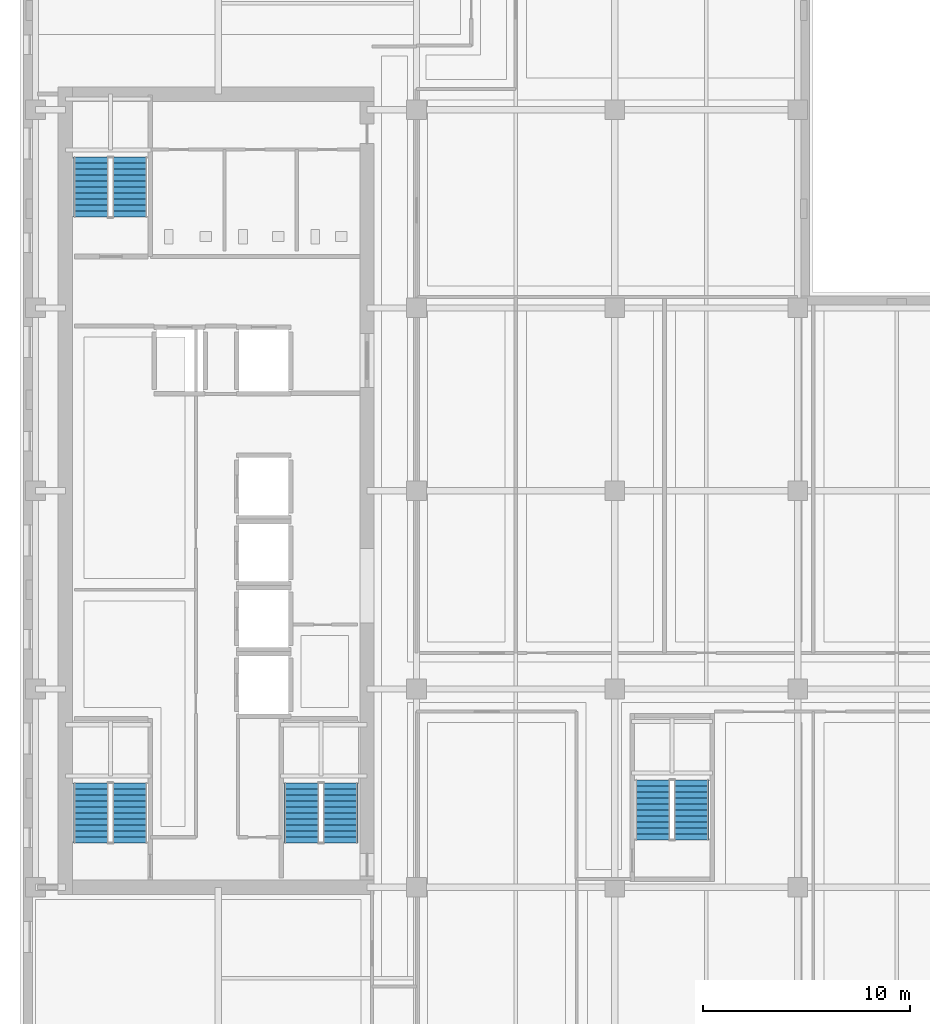
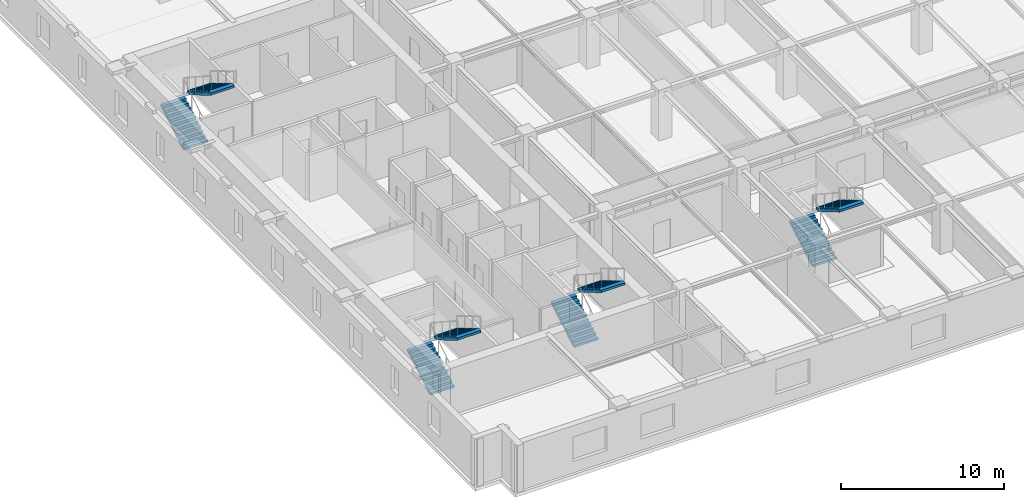
# One storey, part 8 of 13: 8 stair flights, 4 elements without a shape of their own.
"""IFC4 building model written with IfcOpenShell, lengths in metres."""

import ifcopenshell
import ifcopenshell.guid

model = None  # the IFC model being written
_history = None  # IfcOwnerHistory: only IFC2X3 demands one
_inside = {}  # id of a spatial element -> (the spatial element, [elements in it])
_under = {}  # id of a project, library or spatial element -> (it, [spatial elements below it])
_declared = {}  # id of a project -> (the project, [libraries it declares])
_typed = {}  # id of a type object -> (the type object, [elements of that type])
_made_of = {}  # id of a material, layer set ... -> (it, [elements and type objects made of it])


def new_model(schema):
    """Start an empty IFC model of exactly this schema.

    Asked for "IFC4X3", IfcOpenShell would pick the latest addendum, in which some entities
    have other attributes; the version numbers below select the first issue.
    IFC2X3 requires an IfcOwnerHistory on every rooted entity: one is made here for all.
    """
    global model, _history
    if schema == "IFC4X3":
        model = ifcopenshell.file(schema_version=(4, 3, 0, 0))
    else:
        model = ifcopenshell.file(schema=schema)
    _inside.clear()
    _under.clear()
    _declared.clear()
    _typed.clear()
    _made_of.clear()
    _history = None
    if model.schema == "IFC2X3":
        org = make("IfcOrganization", Name="unknown")
        user = make(
            "IfcPersonAndOrganization",
            ThePerson=make("IfcPerson", FamilyName="unknown"),
            TheOrganization=org,
        )
        app = make(
            "IfcApplication",
            ApplicationDeveloper=org,
            Version="unknown",
            ApplicationFullName="unknown",
            ApplicationIdentifier="unknown",
        )
        _history = make(
            "IfcOwnerHistory",
            OwningUser=user,
            OwningApplication=app,
            ChangeAction="ADDED",
            CreationDate=0,
        )
    return model


def make(cls, **values):
    """One entity of the class cls with the attributes given. An attribute that is None is left unset."""
    return model.create_entity(
        cls, **{name: value for name, value in values.items() if value is not None}
    )


def rooted(cls, **values):
    """An entity with a GlobalId (a new one), such as an element, a storey or a relation."""
    return make(cls, GlobalId=ifcopenshell.guid.new(), OwnerHistory=_history, **values)


def si_unit(unit_type, name, prefix=None):
    """IfcSIUnit, for example si_unit("LENGTHUNIT", "METRE", prefix="MILLI")."""
    return make("IfcSIUnit", UnitType=unit_type, Prefix=prefix, Name=name)


def assignment(units):
    """IfcUnitAssignment: the units of a project."""
    return None if units is None else make("IfcUnitAssignment", Units=units)


def point(xyz):
    """IfcCartesianPoint."""
    return None if xyz is None else make("IfcCartesianPoint", Coordinates=xyz)


def direction(xyz):
    """IfcDirection."""
    return None if xyz is None else make("IfcDirection", DirectionRatios=xyz)


def frame(location, z_axis=None, x_axis=None):
    """IfcAxis2Placement3D, a coordinate frame: its origin and axes. An axis left out is left unset."""
    return make(
        "IfcAxis2Placement3D",
        Location=point(location),
        Axis=direction(z_axis),
        RefDirection=direction(x_axis),
    )


def origin():
    """The frame at (0, 0, 0) with its axes left unset."""
    return frame((0.0, 0.0, 0.0))


def place(relative_to, where):
    """IfcLocalPlacement: puts the frame where relative to a parent placement (None: the world)."""
    return make(
        "IfcLocalPlacement", PlacementRelTo=relative_to, RelativePlacement=where
    )


def context(
    kind, dimensions, precision=None, world=None, true_north=None, identifier=None
):
    """IfcGeometricRepresentationContext, for example the 3D "Model" context."""
    return make(
        "IfcGeometricRepresentationContext",
        ContextIdentifier=identifier,
        ContextType=kind,
        CoordinateSpaceDimension=dimensions,
        Precision=precision,
        WorldCoordinateSystem=world,
        TrueNorth=true_north,
    )


def subcontext(parent, identifier, kind, view, scale=None):
    """IfcGeometricRepresentationSubContext, for example "Body" below "Model"."""
    return make(
        "IfcGeometricRepresentationSubContext",
        ContextIdentifier=identifier,
        ContextType=kind,
        ParentContext=parent,
        TargetScale=scale,
        TargetView=view,
    )


def project(units=None, contexts=None):
    """IfcProject with its units and contexts."""
    return rooted(
        "IfcProject",
        Name="project",
        RepresentationContexts=contexts,
        UnitsInContext=assignment(units),
    )


def spatial(cls, under=None, at=None, **own):
    """A site, building, storey or space (cls), placed at a placement, below another one or the project."""
    s = rooted(cls, ObjectPlacement=at, **own)
    if under is not None:
        _under.setdefault(under.id(), (under, []))[1].append(s)
    return s


def polyline(points):
    """IfcPolyline through the points."""
    return make("IfcPolyline", Points=[point(p) for p in points])


def outline(outer, holes=None, kind="AREA"):
    """IfcArbitraryClosedProfileDef: a profile drawn as a closed curve; with holes, ...WithVoids."""
    if holes is None:
        return make("IfcArbitraryClosedProfileDef", ProfileType=kind, OuterCurve=outer)
    return make(
        "IfcArbitraryProfileDefWithVoids",
        ProfileType=kind,
        OuterCurve=outer,
        InnerCurves=holes,
    )


def extrude(swept, where, along, depth):
    """IfcExtrudedAreaSolid: the profile swept, set in the frame where, extruded along a direction by depth."""
    return make(
        "IfcExtrudedAreaSolid",
        SweptArea=swept,
        Position=where,
        ExtrudedDirection=direction(along),
        Depth=depth,
    )


def shape(context_of_items, identifier, shape_type, items):
    """IfcShapeRepresentation: the items that make up one representation, for example the "Body"."""
    return make(
        "IfcShapeRepresentation",
        ContextOfItems=context_of_items,
        RepresentationIdentifier=identifier,
        RepresentationType=shape_type,
        Items=items,
    )


def material(Name=None, Category=None):
    """IfcMaterial."""
    return make("IfcMaterial", Name=Name, Category=Category)


def made_of(thing, what):
    """Note that an element or type object is made of a material, layer set ...; save() writes the relation."""
    if what is not None:
        _made_of.setdefault(what.id(), (what, []))[1].append(thing)
    return thing


def type_object(cls, material=None, **own):
    """A type object (cls), such as IfcWallType, which elements share."""
    return made_of(rooted(cls, **own), material)


def element(
    cls,
    number,
    at=None,
    inside=None,
    cuts=None,
    type_object=None,
    material=None,
    context=None,
    identifier="Body",
    shape_type=None,
    held_by="IfcProductDefinitionShape",
    body=None,
    shapes=None,
    **own,
):
    """One element of the class cls, such as IfcWall. Its Tag is "e" and its number.

    at: its placement. inside: the storey or other place that contains it. cuts: it is an
    opening in that element (IfcRelVoidsElement). A single representation is given by context,
    identifier, shape_type and body (its items); several are given by shapes. held_by: the class
    of the entity that holds the representations. save() writes the other relations.
    """
    e = rooted(cls, Tag="e%d" % number, ObjectPlacement=at, **own)
    if body is not None:
        shapes = [shape(context, identifier, shape_type, body)]
    if shapes is not None:
        e.Representation = make(held_by, Representations=shapes)
    if inside is not None:
        _inside.setdefault(inside.id(), (inside, []))[1].append(e)
    if cuts is not None:
        rooted(
            "IfcRelVoidsElement", RelatingBuildingElement=cuts, RelatedOpeningElement=e
        )
    if type_object is not None:
        _typed.setdefault(type_object.id(), (type_object, []))[1].append(e)
    return made_of(e, material)


def aggregate(whole, parts):
    """IfcRelAggregates: a whole, such as a stair, and the parts it consists of."""
    return rooted("IfcRelAggregates", RelatingObject=whole, RelatedObjects=parts)


def save(model, path):
    """Write the relations noted so far, then the file.

    IfcRelAggregates (storeys below a building ...), IfcRelContainedInSpatialStructure (elements
    in a storey), IfcRelDefinesByType, IfcRelAssociatesMaterial and IfcRelDeclares: one each for
    every whole, place, type object, material and project.
    """
    for whole, parts in _under.values():
        aggregate(whole, parts)
    for where, things in _inside.values():
        rooted(
            "IfcRelContainedInSpatialStructure",
            RelatedElements=things,
            RelatingStructure=where,
        )
    for kind, things in _typed.values():
        rooted("IfcRelDefinesByType", RelatedObjects=things, RelatingType=kind)
    for what, things in _made_of.values():
        rooted("IfcRelAssociatesMaterial", RelatedObjects=things, RelatingMaterial=what)
    for by, libraries in _declared.values():
        rooted("IfcRelDeclares", RelatingContext=by, RelatedDefinitions=libraries)
    model.write(path)


model = new_model("IFC4")

# Units and contexts
model_context = context("Model", 3, precision=1e-05, world=origin(), true_north=direction((0.0, 1.0)))
body_context = subcontext(model_context, "Body", "Model", "MODEL_VIEW")
ifc_project = project(units=[si_unit("LENGTHUNIT", "METRE"), si_unit("AREAUNIT", "SQUARE_METRE"), si_unit("VOLUMEUNIT", "CUBIC_METRE"), si_unit("PLANEANGLEUNIT", "RADIAN"), si_unit("MASSUNIT", "GRAM", prefix="KILO")], contexts=[model_context])

# Site, building, storey
site_placement = place(None, origin())
site = spatial("IfcSite", under=ifc_project, at=site_placement, CompositionType="ELEMENT")
building_placement = place(site_placement, origin())
building = spatial("IfcBuilding", under=site, at=building_placement, Name="Norrvale University Quadrangle", CompositionType="ELEMENT")
storey_placement = place(building_placement, frame((0.0, 0.0, 178.800048828125)))
storey = spatial("IfcBuildingStorey", under=building, at=storey_placement, Name="L45", CompositionType="ELEMENT", Elevation=178.800048828125)

# Stair, stair flights
ifc_material = material(Name="Concrete C40/50", Category="concrete")
stair_type = type_object("IfcStairType", Name="Stair Tower Typ 3800", PredefinedType="TWO_STRAIGHT_RUN_STAIR", material=ifc_material)
stair_1_placement = place(storey_placement, origin())
stair_1 = element("IfcStair", 1, at=stair_1_placement, inside=storey, type_object=stair_type, Name="Exit Stair ST-01 L45", PredefinedType="TWO_STRAIGHT_RUN_STAIR")
stair_flight_type = type_object("IfcStairFlightType", Name="Flight Typ 1500", PredefinedType="STRAIGHT", material=ifc_material)
stair_flight_1_placement = place(storey_placement, frame((3.429931640625, 11.75, 0.0), z_axis=(0.0, 0.0, 1.0), x_axis=(0.0, 1.0, 0.0)))
stair_flight_1 = element("IfcStairFlight", 2, at=stair_flight_1_placement, type_object=stair_flight_type, Name="Exit Stair ST-01 L45 Lower Flight", NumberOfRisers=11, NumberOfTreads=10, PredefinedType="STRAIGHT", RiserHeight=0.172727, TreadLength=0.29, context=body_context, shape_type="SweptSolid", body=[
    extrude(outline(polyline([(0.0, 0.0), (0.0, 0.172607421875), (0.2900390625, 0.172607421875), (0.2900390625, 0.345458984375), (0.580078125, 0.345458984375), (0.580078125, 0.51806640625), (0.8701171875, 0.51806640625), (0.8701171875, 0.69091796875), (1.159912109375, 0.69091796875), (1.159912109375, 0.863525390625), (1.449951171875, 0.863525390625), (1.449951171875, 1.036376953125), (1.739990234375, 1.036376953125), (1.739990234375, 1.208984375), (2.030029296875, 1.208984375), (2.030029296875, 1.3818359375), (2.320068359375, 1.3818359375), (2.320068359375, 1.554443359375), (2.610107421875, 1.554443359375), (2.610107421875, 1.727294921875), (2.89990234375, 1.727294921875), (2.89990234375, 1.89990234375), (2.89990234375, 1.552734375), (0.29296875, 0.0), (0.0, 0.0)])), frame((0.0, 0.83984375, 0.0), z_axis=(0.0, -1.0, 0.0), x_axis=(1.0, 0.0, 0.0)), (0.0, 0.0, 1.0), 1.679931640625),
])
stair_flight_2_placement = place(storey_placement, frame((5.320068359375, 14.64990234375, 1.89990234375), z_axis=(0.0, 0.0, 1.0), x_axis=(0.0, -1.0, 0.0)))
stair_flight_2 = element("IfcStairFlight", 3, at=stair_flight_2_placement, type_object=stair_flight_type, Name="Exit Stair ST-01 L45 Upper Flight", NumberOfRisers=11, NumberOfTreads=10, PredefinedType="STRAIGHT", RiserHeight=0.172727, TreadLength=0.29, context=body_context, shape_type="SweptSolid", body=[
    extrude(outline(polyline([(0.0, 0.0), (0.0, 0.172607421875), (0.2900390625, 0.172607421875), (0.2900390625, 0.345458984375), (0.580078125, 0.345458984375), (0.580078125, 0.51806640625), (0.8701171875, 0.51806640625), (0.8701171875, 0.69091796875), (1.159912109375, 0.69091796875), (1.159912109375, 0.863525390625), (1.449951171875, 0.863525390625), (1.449951171875, 1.036376953125), (1.739990234375, 1.036376953125), (1.739990234375, 1.208984375), (2.030029296875, 1.208984375), (2.030029296875, 1.3818359375), (2.320068359375, 1.3818359375), (2.320068359375, 1.554443359375), (2.610107421875, 1.554443359375), (2.610107421875, 1.727294921875), (2.89990234375, 1.727294921875), (2.89990234375, 1.89990234375), (2.89990234375, 1.552734375), (0.29296875, 0.0), (0.0, 0.0)])), frame((0.0, 0.83984375, 0.0), z_axis=(0.0, -1.0, 0.0), x_axis=(1.0, 0.0, 0.0)), (0.0, 0.0, 1.0), 1.679931640625),
])
aggregate(stair_1, [stair_flight_1, stair_flight_2])

stair_2_placement = place(storey_placement, origin())
stair_2 = element("IfcStair", 4, at=stair_2_placement, inside=storey, type_object=stair_type, Name="Exit Stair ST-02 L45", PredefinedType="TWO_STRAIGHT_RUN_STAIR")
stair_flight_3_placement = place(storey_placement, frame((3.429931640625, 42.050048828125, 0.0), z_axis=(0.0, 0.0, 1.0), x_axis=(0.0, 1.0, 0.0)))
stair_flight_3 = element("IfcStairFlight", 5, at=stair_flight_3_placement, type_object=stair_flight_type, Name="Exit Stair ST-02 L45 Lower Flight", NumberOfRisers=11, NumberOfTreads=10, PredefinedType="STRAIGHT", RiserHeight=0.172727, TreadLength=0.29, context=body_context, shape_type="SweptSolid", body=[
    extrude(outline(polyline([(0.0, 0.0), (0.0, 0.172607421875), (0.2900390625, 0.172607421875), (0.2900390625, 0.345458984375), (0.580078125, 0.345458984375), (0.580078125, 0.51806640625), (0.8701171875, 0.51806640625), (0.8701171875, 0.69091796875), (1.159912109375, 0.69091796875), (1.159912109375, 0.863525390625), (1.449951171875, 0.863525390625), (1.449951171875, 1.036376953125), (1.739990234375, 1.036376953125), (1.739990234375, 1.208984375), (2.030029296875, 1.208984375), (2.030029296875, 1.3818359375), (2.320068359375, 1.3818359375), (2.320068359375, 1.554443359375), (2.610107421875, 1.554443359375), (2.610107421875, 1.727294921875), (2.89990234375, 1.727294921875), (2.89990234375, 1.89990234375), (2.89990234375, 1.552734375), (0.29296875, 0.0), (0.0, 0.0)])), frame((0.0, 0.83984375, 0.0), z_axis=(0.0, -1.0, 0.0), x_axis=(1.0, 0.0, 0.0)), (0.0, 0.0, 1.0), 1.679931640625),
])
stair_flight_4_placement = place(storey_placement, frame((5.320068359375, 44.949951171875, 1.89990234375), z_axis=(0.0, 0.0, 1.0), x_axis=(0.0, -1.0, 0.0)))
stair_flight_4 = element("IfcStairFlight", 6, at=stair_flight_4_placement, type_object=stair_flight_type, Name="Exit Stair ST-02 L45 Upper Flight", NumberOfRisers=11, NumberOfTreads=10, PredefinedType="STRAIGHT", RiserHeight=0.172727, TreadLength=0.29, context=body_context, shape_type="SweptSolid", body=[
    extrude(outline(polyline([(0.0, 0.0), (0.0, 0.172607421875), (0.2900390625, 0.172607421875), (0.2900390625, 0.345458984375), (0.580078125, 0.345458984375), (0.580078125, 0.51806640625), (0.8701171875, 0.51806640625), (0.8701171875, 0.69091796875), (1.159912109375, 0.69091796875), (1.159912109375, 0.863525390625), (1.449951171875, 0.863525390625), (1.449951171875, 1.036376953125), (1.739990234375, 1.036376953125), (1.739990234375, 1.208984375), (2.030029296875, 1.208984375), (2.030029296875, 1.3818359375), (2.320068359375, 1.3818359375), (2.320068359375, 1.554443359375), (2.610107421875, 1.554443359375), (2.610107421875, 1.727294921875), (2.89990234375, 1.727294921875), (2.89990234375, 1.89990234375), (2.89990234375, 1.552734375), (0.29296875, 0.0), (0.0, 0.0)])), frame((0.0, 0.83984375, 0.0), z_axis=(0.0, -1.0, 0.0), x_axis=(1.0, 0.0, 0.0)), (0.0, 0.0, 1.0), 1.679931640625),
])
aggregate(stair_2, [stair_flight_3, stair_flight_4])

stair_3_placement = place(storey_placement, origin())
stair_3 = element("IfcStair", 7, at=stair_3_placement, inside=storey, type_object=stair_type, Name="Exit Stair ST-03 L45", PredefinedType="TWO_STRAIGHT_RUN_STAIR")
stair_flight_5_placement = place(storey_placement, frame((13.6298828125, 11.75, 0.0), z_axis=(0.0, 0.0, 1.0), x_axis=(0.0, 1.0, 0.0)))
stair_flight_5 = element("IfcStairFlight", 8, at=stair_flight_5_placement, type_object=stair_flight_type, Name="Exit Stair ST-03 L45 Lower Flight", NumberOfRisers=11, NumberOfTreads=10, PredefinedType="STRAIGHT", RiserHeight=0.172727, TreadLength=0.29, context=body_context, shape_type="SweptSolid", body=[
    extrude(outline(polyline([(0.0, 0.0), (0.0, 0.172607421875), (0.2900390625, 0.172607421875), (0.2900390625, 0.345458984375), (0.580078125, 0.345458984375), (0.580078125, 0.51806640625), (0.8701171875, 0.51806640625), (0.8701171875, 0.69091796875), (1.159912109375, 0.69091796875), (1.159912109375, 0.863525390625), (1.449951171875, 0.863525390625), (1.449951171875, 1.036376953125), (1.739990234375, 1.036376953125), (1.739990234375, 1.208984375), (2.030029296875, 1.208984375), (2.030029296875, 1.3818359375), (2.320068359375, 1.3818359375), (2.320068359375, 1.554443359375), (2.610107421875, 1.554443359375), (2.610107421875, 1.727294921875), (2.89990234375, 1.727294921875), (2.89990234375, 1.89990234375), (2.89990234375, 1.552734375), (0.29296875, 0.0), (0.0, 0.0)])), frame((0.0, 0.83984375, 0.0), z_axis=(0.0, -1.0, 0.0), x_axis=(1.0, 0.0, 0.0)), (0.0, 0.0, 1.0), 1.679931640625),
])
stair_flight_6_placement = place(storey_placement, frame((15.52001953125, 14.64990234375, 1.89990234375), z_axis=(0.0, 0.0, 1.0), x_axis=(0.0, -1.0, 0.0)))
stair_flight_6 = element("IfcStairFlight", 9, at=stair_flight_6_placement, type_object=stair_flight_type, Name="Exit Stair ST-03 L45 Upper Flight", NumberOfRisers=11, NumberOfTreads=10, PredefinedType="STRAIGHT", RiserHeight=0.172727, TreadLength=0.29, context=body_context, shape_type="SweptSolid", body=[
    extrude(outline(polyline([(0.0, 0.0), (0.0, 0.172607421875), (0.2900390625, 0.172607421875), (0.2900390625, 0.345458984375), (0.580078125, 0.345458984375), (0.580078125, 0.51806640625), (0.8701171875, 0.51806640625), (0.8701171875, 0.69091796875), (1.159912109375, 0.69091796875), (1.159912109375, 0.863525390625), (1.449951171875, 0.863525390625), (1.449951171875, 1.036376953125), (1.739990234375, 1.036376953125), (1.739990234375, 1.208984375), (2.030029296875, 1.208984375), (2.030029296875, 1.3818359375), (2.320068359375, 1.3818359375), (2.320068359375, 1.554443359375), (2.610107421875, 1.554443359375), (2.610107421875, 1.727294921875), (2.89990234375, 1.727294921875), (2.89990234375, 1.89990234375), (2.89990234375, 1.552734375), (0.29296875, 0.0), (0.0, 0.0)])), frame((0.0, 0.83984375, 0.0), z_axis=(0.0, -1.0, 0.0), x_axis=(1.0, 0.0, 0.0)), (0.0, 0.0, 1.0), 1.679931640625),
])
aggregate(stair_3, [stair_flight_5, stair_flight_6])

stair_4_placement = place(storey_placement, origin())
stair_4 = element("IfcStair", 10, at=stair_4_placement, inside=storey, type_object=stair_type, Name="Exit Stair ST-04 L45", PredefinedType="TWO_STRAIGHT_RUN_STAIR")
stair_flight_7_placement = place(storey_placement, frame((30.6298828125, 11.89990234375, 0.0), z_axis=(0.0, 0.0, 1.0), x_axis=(0.0, 1.0, 0.0)))
stair_flight_7 = element("IfcStairFlight", 11, at=stair_flight_7_placement, type_object=stair_flight_type, Name="Exit Stair ST-04 L45 Lower Flight", NumberOfRisers=11, NumberOfTreads=10, PredefinedType="STRAIGHT", RiserHeight=0.172727, TreadLength=0.29, context=body_context, shape_type="SweptSolid", body=[
    extrude(outline(polyline([(0.0, 0.0), (0.0, 0.172607421875), (0.2900390625, 0.172607421875), (0.2900390625, 0.345458984375), (0.580078125, 0.345458984375), (0.580078125, 0.51806640625), (0.8701171875, 0.51806640625), (0.8701171875, 0.69091796875), (1.159912109375, 0.69091796875), (1.159912109375, 0.863525390625), (1.449951171875, 0.863525390625), (1.449951171875, 1.036376953125), (1.739990234375, 1.036376953125), (1.739990234375, 1.208984375), (2.030029296875, 1.208984375), (2.030029296875, 1.3818359375), (2.320068359375, 1.3818359375), (2.320068359375, 1.554443359375), (2.610107421875, 1.554443359375), (2.610107421875, 1.727294921875), (2.89990234375, 1.727294921875), (2.89990234375, 1.89990234375), (2.89990234375, 1.552734375), (0.29296875, 0.0), (0.0, 0.0)])), frame((0.0, 0.83984375, 0.0), z_axis=(0.0, -1.0, 0.0), x_axis=(1.0, 0.0, 0.0)), (0.0, 0.0, 1.0), 1.679931640625),
])
stair_flight_8_placement = place(storey_placement, frame((32.52001953125, 14.800048828125, 1.89990234375), z_axis=(0.0, 0.0, 1.0), x_axis=(0.0, -1.0, 0.0)))
stair_flight_8 = element("IfcStairFlight", 12, at=stair_flight_8_placement, type_object=stair_flight_type, Name="Exit Stair ST-04 L45 Upper Flight", NumberOfRisers=11, NumberOfTreads=10, PredefinedType="STRAIGHT", RiserHeight=0.172727, TreadLength=0.29, context=body_context, shape_type="SweptSolid", body=[
    extrude(outline(polyline([(0.0, 0.0), (0.0, 0.172607421875), (0.2900390625, 0.172607421875), (0.2900390625, 0.345458984375), (0.580078125, 0.345458984375), (0.580078125, 0.51806640625), (0.8701171875, 0.51806640625), (0.8701171875, 0.69091796875), (1.159912109375, 0.69091796875), (1.159912109375, 0.863525390625), (1.449951171875, 0.863525390625), (1.449951171875, 1.036376953125), (1.739990234375, 1.036376953125), (1.739990234375, 1.208984375), (2.030029296875, 1.208984375), (2.030029296875, 1.3818359375), (2.320068359375, 1.3818359375), (2.320068359375, 1.554443359375), (2.610107421875, 1.554443359375), (2.610107421875, 1.727294921875), (2.89990234375, 1.727294921875), (2.89990234375, 1.89990234375), (2.89990234375, 1.552734375), (0.29296875, 0.0), (0.0, 0.0)])), frame((0.0, 0.83984375, 0.0), z_axis=(0.0, -1.0, 0.0), x_axis=(1.0, 0.0, 0.0)), (0.0, 0.0, 1.0), 1.679931640625),
])
aggregate(stair_4, [stair_flight_7, stair_flight_8])

save(model, "model.ifc")
